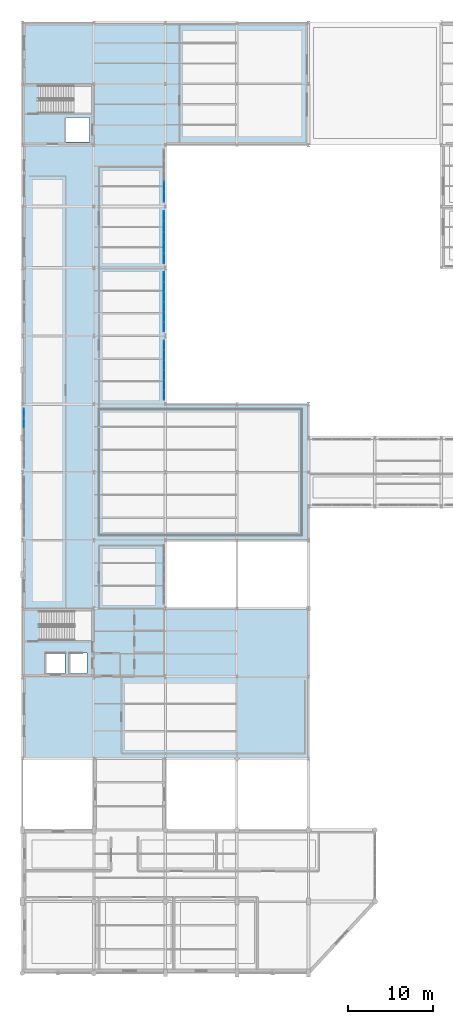
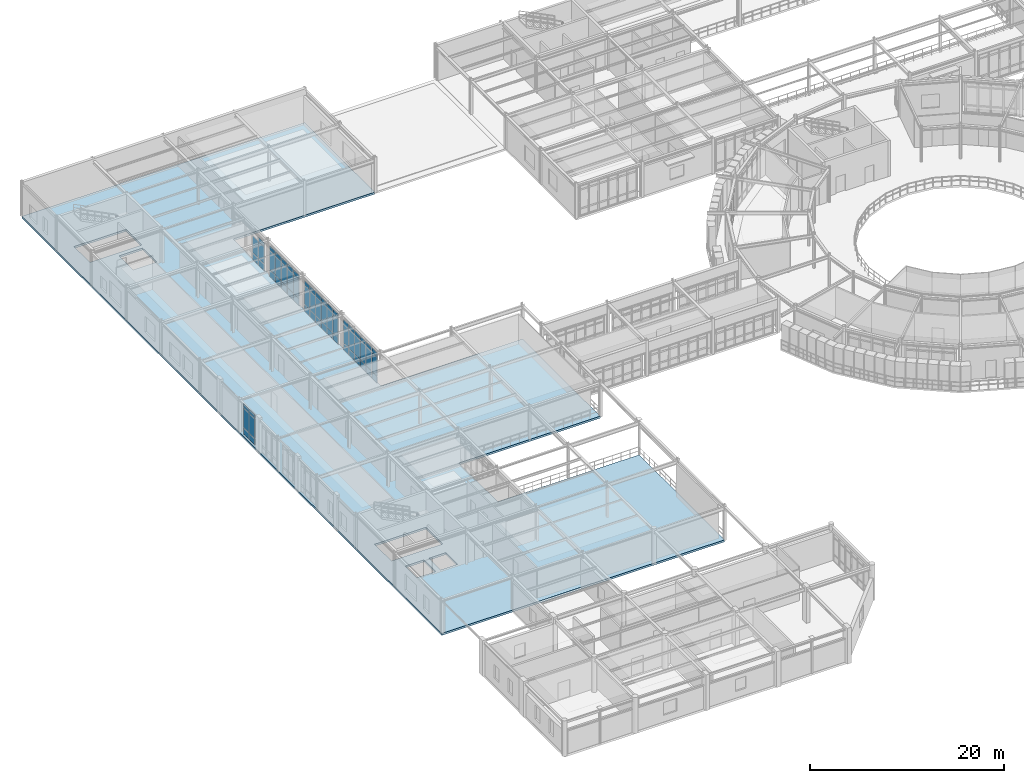
# One storey, part 72 of 106: 62 plates, 1 slab, 5 elements without a shape of their own.
"""IFC4 building model written with IfcOpenShell, lengths in metres."""

from ifc_helpers import new_model, si_unit, derived_unit, direction, frame, origin, origin_2d, place, context, subcontext, project, spatial, polyline, rectangle, outline, extrude, material, layer, layer_set, type_object, element, aggregate, save


model = new_model("IFC4")

# Units and contexts
model_context = context("Model", 3, precision=1e-05, world=origin(), true_north=direction((0.0, 1.0)))
body_context = subcontext(model_context, "Body", "Model", "MODEL_VIEW")
ifc_project = project(units=[si_unit("LENGTHUNIT", "METRE"), si_unit("AREAUNIT", "SQUARE_METRE"), si_unit("VOLUMEUNIT", "CUBIC_METRE"), si_unit("PLANEANGLEUNIT", "RADIAN"), si_unit("MASSUNIT", "GRAM", prefix="KILO"), derived_unit("THERMALTRANSMITTANCEUNIT", [(si_unit("POWERUNIT", "WATT"), 1), (si_unit("AREAUNIT", "SQUARE_METRE"), -1), (si_unit("THERMODYNAMICTEMPERATUREUNIT", "KELVIN"), -1)])], contexts=[model_context])

# Site, building, storey
site_placement = place(None, origin())
site = spatial("IfcSite", under=ifc_project, at=site_placement, CompositionType="ELEMENT")
building_placement = place(site_placement, origin())
building = spatial("IfcBuilding", under=site, at=building_placement, Name="Yasenodar Specialist Clinic", CompositionType="ELEMENT")
storey_placement = place(building_placement, frame((0.0, 0.0, 4.5)))
storey = spatial("IfcBuildingStorey", under=building, at=storey_placement, Name="L01", CompositionType="ELEMENT", Elevation=4.5)

# Curtain wall, plates
ifc_material_1 = material(Name="Bronze Anodized Aluminium and Triple Low-E Glass", Category="aluminium")
ifc_layer_1 = layer(ifc_material_1, 0.22705078125)
ifc_layer_set_1 = layer_set([ifc_layer_1], Name="Bronze Anodized Aluminium and Triple Low-E Glass")
curtain_wall_type_1 = type_object("IfcCurtainWallType", Name="CW-SYS-06", PredefinedType="USERDEFINED", material=ifc_layer_set_1)
curtain_wall_1_placement = place(storey_placement, origin())
curtain_wall_1 = element("IfcCurtainWall", 1, at=curtain_wall_1_placement, inside=storey, type_object=curtain_wall_type_1, Name="L01 Unitised Curtain Wall 120", ObjectType="UNITISED CURTAIN WALL", PredefinedType="USERDEFINED")
ifc_material_2 = material(Name="Triple Low-E Argon Glazing", Category="glass")
ifc_layer_2 = layer(ifc_material_2, 0.028076171875)
ifc_layer_set_2 = layer_set([ifc_layer_2], Name="Triple Low-E Argon Glazing")
plate_type_1 = type_object("IfcPlateType", Name="CW-PAN-1", PredefinedType="CURTAIN_PANEL", material=ifc_layer_set_2)
plate_1_placement = place(storey_placement, frame((0.179931640625, 64.56005859375, 0.074951171875), z_axis=(0.0, 0.0, 1.0), x_axis=(0.0, 1.0, 0.0)))
plate_1 = element("IfcPlate", 2, at=plate_1_placement, type_object=plate_type_1, Name="CW-06 panel 5.1", PredefinedType="CURTAIN_PANEL", context=body_context, shape_type="SweptSolid", body=[
    extrude(rectangle(XDim=1.098388671875, YDim=0.028076171875, at=origin_2d()), origin(), (0.0, 0.0, 1.0), 0.78759765625),
])
plate_2_placement = place(storey_placement, frame((0.179931640625, 64.56005859375, 0.9375), z_axis=(0.0, 0.0, 1.0), x_axis=(0.0, 1.0, 0.0)))
plate_2 = element("IfcPlate", 3, at=plate_2_placement, type_object=plate_type_1, Name="CW-06 panel 5.2", PredefinedType="CURTAIN_PANEL", context=body_context, shape_type="SweptSolid", body=[
    extrude(rectangle(XDim=1.098388671875, YDim=0.028076171875, at=origin_2d()), origin(), (0.0, 0.0, 1.0), 2.423095703125),
])
plate_3_placement = place(storey_placement, frame((0.179931640625, 64.56005859375, 3.435546875), z_axis=(0.0, 0.0, 1.0), x_axis=(0.0, 1.0, 0.0)))
plate_3 = element("IfcPlate", 4, at=plate_3_placement, type_object=plate_type_1, Name="CW-06 panel 5.3", PredefinedType="CURTAIN_PANEL", context=body_context, shape_type="SweptSolid", body=[
    extrude(rectangle(XDim=1.098388671875, YDim=0.028076171875, at=origin_2d()), origin(), (0.0, 0.0, 1.0), 0.487548828125),
])
plate_4_placement = place(storey_placement, frame((0.179931640625, 65.714599609375, 0.074951171875), z_axis=(0.0, 0.0, 1.0), x_axis=(0.0, 1.0, 0.0)))
plate_4 = element("IfcPlate", 5, at=plate_4_placement, type_object=plate_type_1, Name="CW-06 panel 6.1", PredefinedType="CURTAIN_PANEL", context=body_context, shape_type="SweptSolid", body=[
    extrude(rectangle(XDim=1.060791015625, YDim=0.028076171875, at=origin_2d()), origin(), (0.0, 0.0, 1.0), 0.78759765625),
])
plate_5_placement = place(storey_placement, frame((0.179931640625, 65.714599609375, 0.9375), z_axis=(0.0, 0.0, 1.0), x_axis=(0.0, 1.0, 0.0)))
plate_5 = element("IfcPlate", 6, at=plate_5_placement, type_object=plate_type_1, Name="CW-06 panel 6.2", PredefinedType="CURTAIN_PANEL", context=body_context, shape_type="SweptSolid", body=[
    extrude(rectangle(XDim=1.060791015625, YDim=0.028076171875, at=origin_2d()), origin(), (0.0, 0.0, 1.0), 2.423095703125),
])
plate_6_placement = place(storey_placement, frame((0.179931640625, 65.714599609375, 3.435546875), z_axis=(0.0, 0.0, 1.0), x_axis=(0.0, 1.0, 0.0)))
plate_6 = element("IfcPlate", 7, at=plate_6_placement, type_object=plate_type_1, Name="CW-06 panel 6.3", PredefinedType="CURTAIN_PANEL", context=body_context, shape_type="SweptSolid", body=[
    extrude(rectangle(XDim=1.060791015625, YDim=0.028076171875, at=origin_2d()), origin(), (0.0, 0.0, 1.0), 0.487548828125),
])
aggregate(curtain_wall_1, [plate_1, plate_2, plate_3, plate_4, plate_5, plate_6])

ifc_layer_3 = layer(ifc_material_1, 0.202880859375)
ifc_layer_set_3 = layer_set([ifc_layer_3], Name="Bronze Anodized Aluminium and Triple Low-E Glass")
curtain_wall_type_2 = type_object("IfcCurtainWallType", Name="CW-SYS-04", PredefinedType="USERDEFINED", material=ifc_layer_set_3)
curtain_wall_2_placement = place(storey_placement, origin())
curtain_wall_2 = element("IfcCurtainWall", 8, at=curtain_wall_2_placement, inside=storey, type_object=curtain_wall_type_2, Name="L01 Unitised Curtain Wall 124", ObjectType="UNITISED CURTAIN WALL", PredefinedType="USERDEFINED")
plate_7_placement = place(storey_placement, frame((16.64990234375, 73.71826171875, 0.06005859375), z_axis=(0.0, 0.0, 1.0), x_axis=(0.0, -1.0, 0.0)))
plate_7 = element("IfcPlate", 9, at=plate_7_placement, type_object=plate_type_1, Name="CW-04 panel 1.1", PredefinedType="CURTAIN_PANEL", context=body_context, shape_type="SweptSolid", body=[
    extrude(rectangle(XDim=1.083251953125, YDim=0.028076171875, at=origin_2d()), origin(), (0.0, 0.0, 1.0), 0.81005859375),
])
plate_8_placement = place(storey_placement, frame((16.64990234375, 73.71826171875, 0.93017578125), z_axis=(0.0, 0.0, 1.0), x_axis=(0.0, -1.0, 0.0)))
plate_8 = element("IfcPlate", 10, at=plate_8_placement, type_object=plate_type_1, Name="CW-04 panel 1.2", PredefinedType="CURTAIN_PANEL", context=body_context, shape_type="SweptSolid", body=[
    extrude(rectangle(XDim=1.083251953125, YDim=0.028076171875, at=origin_2d()), origin(), (0.0, 0.0, 1.0), 2.367919921875),
])
plate_9_placement = place(storey_placement, frame((16.64990234375, 73.71826171875, 3.35791015625), z_axis=(0.0, 0.0, 1.0), x_axis=(0.0, -1.0, 0.0)))
plate_9 = element("IfcPlate", 11, at=plate_9_placement, type_object=plate_type_1, Name="CW-04 panel 1.3", PredefinedType="CURTAIN_PANEL", context=body_context, shape_type="SweptSolid", body=[
    extrude(rectangle(XDim=1.083251953125, YDim=0.028076171875, at=origin_2d()), origin(), (0.0, 0.0, 1.0), 0.510009765625),
])
plate_10_placement = place(storey_placement, frame((16.64990234375, 72.56005859375, 0.06005859375), z_axis=(0.0, 0.0, 1.0), x_axis=(0.0, -1.0, 0.0)))
plate_10 = element("IfcPlate", 12, at=plate_10_placement, type_object=plate_type_1, Name="CW-04 panel 2.1", PredefinedType="CURTAIN_PANEL", context=body_context, shape_type="SweptSolid", body=[
    extrude(rectangle(XDim=1.11328125, YDim=0.028076171875, at=origin_2d()), origin(), (0.0, 0.0, 1.0), 0.81005859375),
])
plate_11_placement = place(storey_placement, frame((16.64990234375, 72.56005859375, 0.93017578125), z_axis=(0.0, 0.0, 1.0), x_axis=(0.0, -1.0, 0.0)))
plate_11 = element("IfcPlate", 13, at=plate_11_placement, type_object=plate_type_1, Name="CW-04 panel 2.2", PredefinedType="CURTAIN_PANEL", context=body_context, shape_type="SweptSolid", body=[
    extrude(rectangle(XDim=1.11328125, YDim=0.028076171875, at=origin_2d()), origin(), (0.0, 0.0, 1.0), 2.367919921875),
])
plate_12_placement = place(storey_placement, frame((16.64990234375, 72.56005859375, 3.35791015625), z_axis=(0.0, 0.0, 1.0), x_axis=(0.0, -1.0, 0.0)))
plate_12 = element("IfcPlate", 14, at=plate_12_placement, type_object=plate_type_1, Name="CW-04 panel 2.3", PredefinedType="CURTAIN_PANEL", context=body_context, shape_type="SweptSolid", body=[
    extrude(rectangle(XDim=1.11328125, YDim=0.028076171875, at=origin_2d()), origin(), (0.0, 0.0, 1.0), 0.510009765625),
])
plate_13_placement = place(storey_placement, frame((16.64990234375, 71.38671875, 0.06005859375), z_axis=(0.0, 0.0, 1.0), x_axis=(0.0, -1.0, 0.0)))
plate_13 = element("IfcPlate", 15, at=plate_13_placement, type_object=plate_type_1, Name="CW-04 panel 3.1", PredefinedType="CURTAIN_PANEL", context=body_context, shape_type="SweptSolid", body=[
    extrude(rectangle(XDim=1.11328125, YDim=0.028076171875, at=origin_2d()), origin(), (0.0, 0.0, 1.0), 0.81005859375),
])
plate_14_placement = place(storey_placement, frame((16.64990234375, 71.38671875, 0.93017578125), z_axis=(0.0, 0.0, 1.0), x_axis=(0.0, -1.0, 0.0)))
plate_14 = element("IfcPlate", 16, at=plate_14_placement, type_object=plate_type_1, Name="CW-04 panel 3.2", PredefinedType="CURTAIN_PANEL", context=body_context, shape_type="SweptSolid", body=[
    extrude(rectangle(XDim=1.11328125, YDim=0.028076171875, at=origin_2d()), origin(), (0.0, 0.0, 1.0), 2.367919921875),
])
plate_15_placement = place(storey_placement, frame((16.64990234375, 71.38671875, 3.35791015625), z_axis=(0.0, 0.0, 1.0), x_axis=(0.0, -1.0, 0.0)))
plate_15 = element("IfcPlate", 17, at=plate_15_placement, type_object=plate_type_1, Name="CW-04 panel 3.3", PredefinedType="CURTAIN_PANEL", context=body_context, shape_type="SweptSolid", body=[
    extrude(rectangle(XDim=1.11328125, YDim=0.028076171875, at=origin_2d()), origin(), (0.0, 0.0, 1.0), 0.510009765625),
])
plate_16_placement = place(storey_placement, frame((16.64990234375, 70.21337890625, 0.06005859375), z_axis=(0.0, 0.0, 1.0), x_axis=(0.0, -1.0, 0.0)))
plate_16 = element("IfcPlate", 18, at=plate_16_placement, type_object=plate_type_1, Name="CW-04 panel 4.1", PredefinedType="CURTAIN_PANEL", context=body_context, shape_type="SweptSolid", body=[
    extrude(rectangle(XDim=1.11328125, YDim=0.028076171875, at=origin_2d()), origin(), (0.0, 0.0, 1.0), 0.81005859375),
])
plate_17_placement = place(storey_placement, frame((16.64990234375, 70.21337890625, 0.93017578125), z_axis=(0.0, 0.0, 1.0), x_axis=(0.0, -1.0, 0.0)))
plate_17 = element("IfcPlate", 19, at=plate_17_placement, type_object=plate_type_1, Name="CW-04 panel 4.2", PredefinedType="CURTAIN_PANEL", context=body_context, shape_type="SweptSolid", body=[
    extrude(rectangle(XDim=1.11328125, YDim=0.028076171875, at=origin_2d()), origin(), (0.0, 0.0, 1.0), 2.367919921875),
])
plate_18_placement = place(storey_placement, frame((16.64990234375, 70.21337890625, 3.35791015625), z_axis=(0.0, 0.0, 1.0), x_axis=(0.0, -1.0, 0.0)))
plate_18 = element("IfcPlate", 20, at=plate_18_placement, type_object=plate_type_1, Name="CW-04 panel 4.3", PredefinedType="CURTAIN_PANEL", context=body_context, shape_type="SweptSolid", body=[
    extrude(rectangle(XDim=1.11328125, YDim=0.028076171875, at=origin_2d()), origin(), (0.0, 0.0, 1.0), 0.510009765625),
])
plate_19_placement = place(storey_placement, frame((16.64990234375, 69.0400390625, 0.06005859375), z_axis=(0.0, 0.0, 1.0), x_axis=(0.0, -1.0, 0.0)))
plate_19 = element("IfcPlate", 21, at=plate_19_placement, type_object=plate_type_1, Name="CW-04 panel 5.1", PredefinedType="CURTAIN_PANEL", context=body_context, shape_type="SweptSolid", body=[
    extrude(rectangle(XDim=1.11328125, YDim=0.028076171875, at=origin_2d()), origin(), (0.0, 0.0, 1.0), 0.81005859375),
])
plate_20_placement = place(storey_placement, frame((16.64990234375, 69.0400390625, 0.93017578125), z_axis=(0.0, 0.0, 1.0), x_axis=(0.0, -1.0, 0.0)))
plate_20 = element("IfcPlate", 22, at=plate_20_placement, type_object=plate_type_1, Name="CW-04 panel 5.2", PredefinedType="CURTAIN_PANEL", context=body_context, shape_type="SweptSolid", body=[
    extrude(rectangle(XDim=1.11328125, YDim=0.028076171875, at=origin_2d()), origin(), (0.0, 0.0, 1.0), 2.367919921875),
])
plate_21_placement = place(storey_placement, frame((16.64990234375, 69.0400390625, 3.35791015625), z_axis=(0.0, 0.0, 1.0), x_axis=(0.0, -1.0, 0.0)))
plate_21 = element("IfcPlate", 23, at=plate_21_placement, type_object=plate_type_1, Name="CW-04 panel 5.3", PredefinedType="CURTAIN_PANEL", context=body_context, shape_type="SweptSolid", body=[
    extrude(rectangle(XDim=1.11328125, YDim=0.028076171875, at=origin_2d()), origin(), (0.0, 0.0, 1.0), 0.510009765625),
])
plate_22_placement = place(storey_placement, frame((16.64990234375, 67.881591796875, 0.06005859375), z_axis=(0.0, 0.0, 1.0), x_axis=(0.0, -1.0, 0.0)))
plate_22 = element("IfcPlate", 24, at=plate_22_placement, type_object=plate_type_1, Name="CW-04 panel 6.1", PredefinedType="CURTAIN_PANEL", context=body_context, shape_type="SweptSolid", body=[
    extrude(rectangle(XDim=1.083251953125, YDim=0.028076171875, at=origin_2d()), origin(), (0.0, 0.0, 1.0), 0.81005859375),
])
plate_23_placement = place(storey_placement, frame((16.64990234375, 67.881591796875, 0.93017578125), z_axis=(0.0, 0.0, 1.0), x_axis=(0.0, -1.0, 0.0)))
plate_23 = element("IfcPlate", 25, at=plate_23_placement, type_object=plate_type_1, Name="CW-04 panel 6.2", PredefinedType="CURTAIN_PANEL", context=body_context, shape_type="SweptSolid", body=[
    extrude(rectangle(XDim=1.083251953125, YDim=0.028076171875, at=origin_2d()), origin(), (0.0, 0.0, 1.0), 2.367919921875),
])
plate_24_placement = place(storey_placement, frame((16.64990234375, 67.881591796875, 3.35791015625), z_axis=(0.0, 0.0, 1.0), x_axis=(0.0, -1.0, 0.0)))
plate_24 = element("IfcPlate", 26, at=plate_24_placement, type_object=plate_type_1, Name="CW-04 panel 6.3", PredefinedType="CURTAIN_PANEL", context=body_context, shape_type="SweptSolid", body=[
    extrude(rectangle(XDim=1.083251953125, YDim=0.028076171875, at=origin_2d()), origin(), (0.0, 0.0, 1.0), 0.510009765625),
])
aggregate(curtain_wall_2, [plate_7, plate_8, plate_9, plate_10, plate_11, plate_12, plate_13, plate_14, plate_15, plate_16, plate_17, plate_18, plate_19, plate_20, plate_21, plate_22, plate_23, plate_24])

curtain_wall_3_placement = place(storey_placement, origin())
curtain_wall_3 = element("IfcCurtainWall", 27, at=curtain_wall_3_placement, inside=storey, type_object=curtain_wall_type_2, Name="L01 Unitised Curtain Wall 121", ObjectType="UNITISED CURTAIN WALL", PredefinedType="USERDEFINED")
ifc_layer_4 = layer(ifc_material_2, 0.033935546875)
ifc_layer_set_4 = layer_set([ifc_layer_4], Name="Triple Low-E Argon Glazing")
plate_type_2 = type_object("IfcPlateType", Name="CW-PAN-2", PredefinedType="CURTAIN_PANEL", material=ifc_layer_set_4)
plate_25_placement = place(storey_placement, frame((16.64990234375, 92.35205078125, 0.06005859375), z_axis=(0.0, 0.0, 1.0), x_axis=(0.0, -1.0, 0.0)))
plate_25 = element("IfcPlate", 28, at=plate_25_placement, type_object=plate_type_2, Name="CW-04 panel 4.1", PredefinedType="CURTAIN_PANEL", context=body_context, shape_type="SweptSolid", body=[
    extrude(rectangle(XDim=1.18798828125, YDim=0.033935546875, at=origin_2d()), origin(), (0.0, 0.0, 1.0), 0.81005859375),
])
plate_26_placement = place(storey_placement, frame((16.64990234375, 92.35205078125, 0.93017578125), z_axis=(0.0, 0.0, 1.0), x_axis=(0.0, -1.0, 0.0)))
plate_26 = element("IfcPlate", 29, at=plate_26_placement, type_object=plate_type_2, Name="CW-04 panel 4.2", PredefinedType="CURTAIN_PANEL", context=body_context, shape_type="SweptSolid", body=[
    extrude(rectangle(XDim=1.18798828125, YDim=0.033935546875, at=origin_2d()), origin(), (0.0, 0.0, 1.0), 2.117919921875),
])
plate_27_placement = place(storey_placement, frame((16.64990234375, 91.118896484375, 0.06005859375), z_axis=(0.0, 0.0, 1.0), x_axis=(0.0, -1.0, 0.0)))
plate_27 = element("IfcPlate", 30, at=plate_27_placement, type_object=plate_type_2, Name="CW-04 panel 5.1", PredefinedType="CURTAIN_PANEL", context=body_context, shape_type="SweptSolid", body=[
    extrude(rectangle(XDim=1.157958984375, YDim=0.033935546875, at=origin_2d()), origin(), (0.0, 0.0, 1.0), 0.81005859375),
])
plate_28_placement = place(storey_placement, frame((16.64990234375, 91.118896484375, 0.93017578125), z_axis=(0.0, 0.0, 1.0), x_axis=(0.0, -1.0, 0.0)))
plate_28 = element("IfcPlate", 31, at=plate_28_placement, type_object=plate_type_2, Name="CW-04 panel 5.2", PredefinedType="CURTAIN_PANEL", context=body_context, shape_type="SweptSolid", body=[
    extrude(rectangle(XDim=1.157958984375, YDim=0.033935546875, at=origin_2d()), origin(), (0.0, 0.0, 1.0), 2.117919921875),
])
plate_29_placement = place(storey_placement, frame((16.64990234375, 91.118896484375, 3.10791015625), z_axis=(0.0, 0.0, 1.0), x_axis=(0.0, -1.0, 0.0)))
plate_29 = element("IfcPlate", 32, at=plate_29_placement, type_object=plate_type_2, Name="CW-04 panel 5.3", PredefinedType="CURTAIN_PANEL", context=body_context, shape_type="SweptSolid", body=[
    extrude(rectangle(XDim=1.157958984375, YDim=0.033935546875, at=origin_2d()), origin(), (0.0, 0.0, 1.0), 0.510009765625),
])
aggregate(curtain_wall_3, [plate_25, plate_26, plate_27, plate_28, plate_29])

curtain_wall_4_placement = place(storey_placement, origin())
curtain_wall_4 = element("IfcCurtainWall", 33, at=curtain_wall_4_placement, inside=storey, type_object=curtain_wall_type_2, Name="L01 Unitised Curtain Wall 122", ObjectType="UNITISED CURTAIN WALL", PredefinedType="USERDEFINED")
ifc_layer_5 = layer(ifc_material_2, 0.0400390625)
ifc_layer_set_5 = layer_set([ifc_layer_5], Name="Triple Low-E Argon Glazing")
plate_type_3 = type_object("IfcPlateType", Name="CW-PAN-3", PredefinedType="CURTAIN_PANEL", material=ifc_layer_set_5)
plate_30_placement = place(storey_placement, frame((16.64990234375, 88.881103515625, 0.06005859375), z_axis=(0.0, 0.0, 1.0), x_axis=(0.0, -1.0, 0.0)))
plate_30 = element("IfcPlate", 34, at=plate_30_placement, type_object=plate_type_3, Name="CW-04 panel 1.1", PredefinedType="CURTAIN_PANEL", context=body_context, shape_type="SweptSolid", body=[
    extrude(rectangle(XDim=1.157958984375, YDim=0.0400390625, at=origin_2d()), origin(), (0.0, 0.0, 1.0), 0.81005859375),
])
plate_31_placement = place(storey_placement, frame((16.64990234375, 88.881103515625, 0.929931640625), z_axis=(0.0, 0.0, 1.0), x_axis=(0.0, -1.0, 0.0)))
plate_31 = element("IfcPlate", 35, at=plate_31_placement, type_object=plate_type_3, Name="CW-04 panel 1.2", PredefinedType="CURTAIN_PANEL", context=body_context, shape_type="SweptSolid", body=[
    extrude(rectangle(XDim=1.157958984375, YDim=0.0400390625, at=origin_2d()), origin(), (0.0, 0.0, 1.0), 2.3779296875),
])
plate_32_placement = place(storey_placement, frame((16.64990234375, 88.881103515625, 3.3681640625), z_axis=(0.0, 0.0, 1.0), x_axis=(0.0, -1.0, 0.0)))
plate_32 = element("IfcPlate", 36, at=plate_32_placement, type_object=plate_type_3, Name="CW-04 panel 1.3", PredefinedType="CURTAIN_PANEL", context=body_context, shape_type="SweptSolid", body=[
    extrude(rectangle(XDim=1.157958984375, YDim=0.0400390625, at=origin_2d()), origin(), (0.0, 0.0, 1.0), 0.510009765625),
])
plate_33_placement = place(storey_placement, frame((16.64990234375, 87.64794921875, 0.06005859375), z_axis=(0.0, 0.0, 1.0), x_axis=(0.0, -1.0, 0.0)))
plate_33 = element("IfcPlate", 37, at=plate_33_placement, type_object=plate_type_3, Name="CW-04 panel 2.1", PredefinedType="CURTAIN_PANEL", context=body_context, shape_type="SweptSolid", body=[
    extrude(rectangle(XDim=1.18798828125, YDim=0.0400390625, at=origin_2d()), origin(), (0.0, 0.0, 1.0), 0.81005859375),
])
plate_34_placement = place(storey_placement, frame((16.64990234375, 87.64794921875, 0.929931640625), z_axis=(0.0, 0.0, 1.0), x_axis=(0.0, -1.0, 0.0)))
plate_34 = element("IfcPlate", 38, at=plate_34_placement, type_object=plate_type_3, Name="CW-04 panel 2.2", PredefinedType="CURTAIN_PANEL", context=body_context, shape_type="SweptSolid", body=[
    extrude(rectangle(XDim=1.18798828125, YDim=0.0400390625, at=origin_2d()), origin(), (0.0, 0.0, 1.0), 2.3779296875),
])
plate_35_placement = place(storey_placement, frame((16.64990234375, 87.64794921875, 3.3681640625), z_axis=(0.0, 0.0, 1.0), x_axis=(0.0, -1.0, 0.0)))
plate_35 = element("IfcPlate", 39, at=plate_35_placement, type_object=plate_type_3, Name="CW-04 panel 2.3", PredefinedType="CURTAIN_PANEL", context=body_context, shape_type="SweptSolid", body=[
    extrude(rectangle(XDim=1.18798828125, YDim=0.0400390625, at=origin_2d()), origin(), (0.0, 0.0, 1.0), 0.510009765625),
])
plate_36_placement = place(storey_placement, frame((16.64990234375, 86.39990234375, 0.06005859375), z_axis=(0.0, 0.0, 1.0), x_axis=(0.0, -1.0, 0.0)))
plate_36 = element("IfcPlate", 40, at=plate_36_placement, type_object=plate_type_3, Name="CW-04 panel 3.1", PredefinedType="CURTAIN_PANEL", context=body_context, shape_type="SweptSolid", body=[
    extrude(rectangle(XDim=1.18798828125, YDim=0.0400390625, at=origin_2d()), origin(), (0.0, 0.0, 1.0), 0.81005859375),
])
plate_37_placement = place(storey_placement, frame((16.64990234375, 86.39990234375, 0.929931640625), z_axis=(0.0, 0.0, 1.0), x_axis=(0.0, -1.0, 0.0)))
plate_37 = element("IfcPlate", 41, at=plate_37_placement, type_object=plate_type_3, Name="CW-04 panel 3.2", PredefinedType="CURTAIN_PANEL", context=body_context, shape_type="SweptSolid", body=[
    extrude(rectangle(XDim=1.18798828125, YDim=0.0400390625, at=origin_2d()), origin(), (0.0, 0.0, 1.0), 2.3779296875),
])
plate_38_placement = place(storey_placement, frame((16.64990234375, 86.39990234375, 3.3681640625), z_axis=(0.0, 0.0, 1.0), x_axis=(0.0, -1.0, 0.0)))
plate_38 = element("IfcPlate", 42, at=plate_38_placement, type_object=plate_type_3, Name="CW-04 panel 3.3", PredefinedType="CURTAIN_PANEL", context=body_context, shape_type="SweptSolid", body=[
    extrude(rectangle(XDim=1.18798828125, YDim=0.0400390625, at=origin_2d()), origin(), (0.0, 0.0, 1.0), 0.510009765625),
])
plate_39_placement = place(storey_placement, frame((16.64990234375, 85.152099609375, 0.06005859375), z_axis=(0.0, 0.0, 1.0), x_axis=(0.0, -1.0, 0.0)))
plate_39 = element("IfcPlate", 43, at=plate_39_placement, type_object=plate_type_3, Name="CW-04 panel 4.1", PredefinedType="CURTAIN_PANEL", context=body_context, shape_type="SweptSolid", body=[
    extrude(rectangle(XDim=1.18798828125, YDim=0.0400390625, at=origin_2d()), origin(), (0.0, 0.0, 1.0), 0.81005859375),
])
plate_40_placement = place(storey_placement, frame((16.64990234375, 85.152099609375, 0.929931640625), z_axis=(0.0, 0.0, 1.0), x_axis=(0.0, -1.0, 0.0)))
plate_40 = element("IfcPlate", 44, at=plate_40_placement, type_object=plate_type_3, Name="CW-04 panel 4.2", PredefinedType="CURTAIN_PANEL", context=body_context, shape_type="SweptSolid", body=[
    extrude(rectangle(XDim=1.18798828125, YDim=0.0400390625, at=origin_2d()), origin(), (0.0, 0.0, 1.0), 2.3779296875),
])
plate_41_placement = place(storey_placement, frame((16.64990234375, 85.152099609375, 3.3681640625), z_axis=(0.0, 0.0, 1.0), x_axis=(0.0, -1.0, 0.0)))
plate_41 = element("IfcPlate", 45, at=plate_41_placement, type_object=plate_type_3, Name="CW-04 panel 4.3", PredefinedType="CURTAIN_PANEL", context=body_context, shape_type="SweptSolid", body=[
    extrude(rectangle(XDim=1.18798828125, YDim=0.0400390625, at=origin_2d()), origin(), (0.0, 0.0, 1.0), 0.510009765625),
])
plate_42_placement = place(storey_placement, frame((16.64990234375, 83.9189453125, 0.06005859375), z_axis=(0.0, 0.0, 1.0), x_axis=(0.0, -1.0, 0.0)))
plate_42 = element("IfcPlate", 46, at=plate_42_placement, type_object=plate_type_3, Name="CW-04 panel 5.1", PredefinedType="CURTAIN_PANEL", context=body_context, shape_type="SweptSolid", body=[
    extrude(rectangle(XDim=1.157958984375, YDim=0.0400390625, at=origin_2d()), origin(), (0.0, 0.0, 1.0), 0.81005859375),
])
plate_43_placement = place(storey_placement, frame((16.64990234375, 83.9189453125, 0.929931640625), z_axis=(0.0, 0.0, 1.0), x_axis=(0.0, -1.0, 0.0)))
plate_43 = element("IfcPlate", 47, at=plate_43_placement, type_object=plate_type_3, Name="CW-04 panel 5.2", PredefinedType="CURTAIN_PANEL", context=body_context, shape_type="SweptSolid", body=[
    extrude(rectangle(XDim=1.157958984375, YDim=0.0400390625, at=origin_2d()), origin(), (0.0, 0.0, 1.0), 2.3779296875),
])
plate_44_placement = place(storey_placement, frame((16.64990234375, 83.9189453125, 3.3681640625), z_axis=(0.0, 0.0, 1.0), x_axis=(0.0, -1.0, 0.0)))
plate_44 = element("IfcPlate", 48, at=plate_44_placement, type_object=plate_type_3, Name="CW-04 panel 5.3", PredefinedType="CURTAIN_PANEL", context=body_context, shape_type="SweptSolid", body=[
    extrude(rectangle(XDim=1.157958984375, YDim=0.0400390625, at=origin_2d()), origin(), (0.0, 0.0, 1.0), 0.510009765625),
])
aggregate(curtain_wall_4, [plate_30, plate_31, plate_32, plate_33, plate_34, plate_35, plate_36, plate_37, plate_38, plate_39, plate_40, plate_41, plate_42, plate_43, plate_44])

curtain_wall_5_placement = place(storey_placement, origin())
curtain_wall_5 = element("IfcCurtainWall", 49, at=curtain_wall_5_placement, inside=storey, type_object=curtain_wall_type_2, Name="L01 Unitised Curtain Wall 123", ObjectType="UNITISED CURTAIN WALL", PredefinedType="USERDEFINED")
ifc_layer_6 = layer(ifc_material_2, 0.0458984375)
ifc_layer_set_6 = layer_set([ifc_layer_6], Name="Triple Low-E Argon Glazing")
plate_type_4 = type_object("IfcPlateType", Name="CW-PAN-4", PredefinedType="CURTAIN_PANEL", material=ifc_layer_set_6)
plate_45_placement = place(storey_placement, frame((16.64990234375, 81.71826171875, 0.06005859375), z_axis=(0.0, 0.0, 1.0), x_axis=(0.0, -1.0, 0.0)))
plate_45 = element("IfcPlate", 50, at=plate_45_placement, type_object=plate_type_4, Name="CW-04 panel 1.1", PredefinedType="CURTAIN_PANEL", context=body_context, shape_type="SweptSolid", body=[
    extrude(rectangle(XDim=1.083251953125, YDim=0.0458984375, at=origin_2d()), origin(), (0.0, 0.0, 1.0), 0.81005859375),
])
plate_46_placement = place(storey_placement, frame((16.64990234375, 81.71826171875, 0.93017578125), z_axis=(0.0, 0.0, 1.0), x_axis=(0.0, -1.0, 0.0)))
plate_46 = element("IfcPlate", 51, at=plate_46_placement, type_object=plate_type_4, Name="CW-04 panel 1.2", PredefinedType="CURTAIN_PANEL", context=body_context, shape_type="SweptSolid", body=[
    extrude(rectangle(XDim=1.083251953125, YDim=0.0458984375, at=origin_2d()), origin(), (0.0, 0.0, 1.0), 2.367919921875),
])
plate_47_placement = place(storey_placement, frame((16.64990234375, 81.71826171875, 3.35791015625), z_axis=(0.0, 0.0, 1.0), x_axis=(0.0, -1.0, 0.0)))
plate_47 = element("IfcPlate", 52, at=plate_47_placement, type_object=plate_type_4, Name="CW-04 panel 1.3", PredefinedType="CURTAIN_PANEL", context=body_context, shape_type="SweptSolid", body=[
    extrude(rectangle(XDim=1.083251953125, YDim=0.0458984375, at=origin_2d()), origin(), (0.0, 0.0, 1.0), 0.510009765625),
])
plate_48_placement = place(storey_placement, frame((16.64990234375, 80.56005859375, 0.06005859375), z_axis=(0.0, 0.0, 1.0), x_axis=(0.0, -1.0, 0.0)))
plate_48 = element("IfcPlate", 53, at=plate_48_placement, type_object=plate_type_4, Name="CW-04 panel 2.1", PredefinedType="CURTAIN_PANEL", context=body_context, shape_type="SweptSolid", body=[
    extrude(rectangle(XDim=1.11328125, YDim=0.0458984375, at=origin_2d()), origin(), (0.0, 0.0, 1.0), 0.81005859375),
])
plate_49_placement = place(storey_placement, frame((16.64990234375, 80.56005859375, 0.93017578125), z_axis=(0.0, 0.0, 1.0), x_axis=(0.0, -1.0, 0.0)))
plate_49 = element("IfcPlate", 54, at=plate_49_placement, type_object=plate_type_4, Name="CW-04 panel 2.2", PredefinedType="CURTAIN_PANEL", context=body_context, shape_type="SweptSolid", body=[
    extrude(rectangle(XDim=1.11328125, YDim=0.0458984375, at=origin_2d()), origin(), (0.0, 0.0, 1.0), 2.367919921875),
])
plate_50_placement = place(storey_placement, frame((16.64990234375, 80.56005859375, 3.35791015625), z_axis=(0.0, 0.0, 1.0), x_axis=(0.0, -1.0, 0.0)))
plate_50 = element("IfcPlate", 55, at=plate_50_placement, type_object=plate_type_4, Name="CW-04 panel 2.3", PredefinedType="CURTAIN_PANEL", context=body_context, shape_type="SweptSolid", body=[
    extrude(rectangle(XDim=1.11328125, YDim=0.0458984375, at=origin_2d()), origin(), (0.0, 0.0, 1.0), 0.510009765625),
])
plate_51_placement = place(storey_placement, frame((16.64990234375, 79.38671875, 0.06005859375), z_axis=(0.0, 0.0, 1.0), x_axis=(0.0, -1.0, 0.0)))
plate_51 = element("IfcPlate", 56, at=plate_51_placement, type_object=plate_type_4, Name="CW-04 panel 3.1", PredefinedType="CURTAIN_PANEL", context=body_context, shape_type="SweptSolid", body=[
    extrude(rectangle(XDim=1.11328125, YDim=0.0458984375, at=origin_2d()), origin(), (0.0, 0.0, 1.0), 0.81005859375),
])
plate_52_placement = place(storey_placement, frame((16.64990234375, 79.38671875, 0.93017578125), z_axis=(0.0, 0.0, 1.0), x_axis=(0.0, -1.0, 0.0)))
plate_52 = element("IfcPlate", 57, at=plate_52_placement, type_object=plate_type_4, Name="CW-04 panel 3.2", PredefinedType="CURTAIN_PANEL", context=body_context, shape_type="SweptSolid", body=[
    extrude(rectangle(XDim=1.11328125, YDim=0.0458984375, at=origin_2d()), origin(), (0.0, 0.0, 1.0), 2.367919921875),
])
plate_53_placement = place(storey_placement, frame((16.64990234375, 79.38671875, 3.35791015625), z_axis=(0.0, 0.0, 1.0), x_axis=(0.0, -1.0, 0.0)))
plate_53 = element("IfcPlate", 58, at=plate_53_placement, type_object=plate_type_4, Name="CW-04 panel 3.3", PredefinedType="CURTAIN_PANEL", context=body_context, shape_type="SweptSolid", body=[
    extrude(rectangle(XDim=1.11328125, YDim=0.0458984375, at=origin_2d()), origin(), (0.0, 0.0, 1.0), 0.510009765625),
])
plate_54_placement = place(storey_placement, frame((16.64990234375, 78.21337890625, 0.06005859375), z_axis=(0.0, 0.0, 1.0), x_axis=(0.0, -1.0, 0.0)))
plate_54 = element("IfcPlate", 59, at=plate_54_placement, type_object=plate_type_4, Name="CW-04 panel 4.1", PredefinedType="CURTAIN_PANEL", context=body_context, shape_type="SweptSolid", body=[
    extrude(rectangle(XDim=1.11328125, YDim=0.0458984375, at=origin_2d()), origin(), (0.0, 0.0, 1.0), 0.81005859375),
])
plate_55_placement = place(storey_placement, frame((16.64990234375, 78.21337890625, 0.93017578125), z_axis=(0.0, 0.0, 1.0), x_axis=(0.0, -1.0, 0.0)))
plate_55 = element("IfcPlate", 60, at=plate_55_placement, type_object=plate_type_4, Name="CW-04 panel 4.2", PredefinedType="CURTAIN_PANEL", context=body_context, shape_type="SweptSolid", body=[
    extrude(rectangle(XDim=1.11328125, YDim=0.0458984375, at=origin_2d()), origin(), (0.0, 0.0, 1.0), 2.367919921875),
])
plate_56_placement = place(storey_placement, frame((16.64990234375, 78.21337890625, 3.35791015625), z_axis=(0.0, 0.0, 1.0), x_axis=(0.0, -1.0, 0.0)))
plate_56 = element("IfcPlate", 61, at=plate_56_placement, type_object=plate_type_4, Name="CW-04 panel 4.3", PredefinedType="CURTAIN_PANEL", context=body_context, shape_type="SweptSolid", body=[
    extrude(rectangle(XDim=1.11328125, YDim=0.0458984375, at=origin_2d()), origin(), (0.0, 0.0, 1.0), 0.510009765625),
])
plate_57_placement = place(storey_placement, frame((16.64990234375, 77.0400390625, 0.06005859375), z_axis=(0.0, 0.0, 1.0), x_axis=(0.0, -1.0, 0.0)))
plate_57 = element("IfcPlate", 62, at=plate_57_placement, type_object=plate_type_4, Name="CW-04 panel 5.1", PredefinedType="CURTAIN_PANEL", context=body_context, shape_type="SweptSolid", body=[
    extrude(rectangle(XDim=1.11328125, YDim=0.0458984375, at=origin_2d()), origin(), (0.0, 0.0, 1.0), 0.81005859375),
])
plate_58_placement = place(storey_placement, frame((16.64990234375, 77.0400390625, 0.93017578125), z_axis=(0.0, 0.0, 1.0), x_axis=(0.0, -1.0, 0.0)))
plate_58 = element("IfcPlate", 63, at=plate_58_placement, type_object=plate_type_4, Name="CW-04 panel 5.2", PredefinedType="CURTAIN_PANEL", context=body_context, shape_type="SweptSolid", body=[
    extrude(rectangle(XDim=1.11328125, YDim=0.0458984375, at=origin_2d()), origin(), (0.0, 0.0, 1.0), 2.367919921875),
])
plate_59_placement = place(storey_placement, frame((16.64990234375, 77.0400390625, 3.35791015625), z_axis=(0.0, 0.0, 1.0), x_axis=(0.0, -1.0, 0.0)))
plate_59 = element("IfcPlate", 64, at=plate_59_placement, type_object=plate_type_4, Name="CW-04 panel 5.3", PredefinedType="CURTAIN_PANEL", context=body_context, shape_type="SweptSolid", body=[
    extrude(rectangle(XDim=1.11328125, YDim=0.0458984375, at=origin_2d()), origin(), (0.0, 0.0, 1.0), 0.510009765625),
])
plate_60_placement = place(storey_placement, frame((16.64990234375, 75.881591796875, 0.06005859375), z_axis=(0.0, 0.0, 1.0), x_axis=(0.0, -1.0, 0.0)))
plate_60 = element("IfcPlate", 65, at=plate_60_placement, type_object=plate_type_4, Name="CW-04 panel 6.1", PredefinedType="CURTAIN_PANEL", context=body_context, shape_type="SweptSolid", body=[
    extrude(rectangle(XDim=1.083251953125, YDim=0.0458984375, at=origin_2d()), origin(), (0.0, 0.0, 1.0), 0.81005859375),
])
plate_61_placement = place(storey_placement, frame((16.64990234375, 75.881591796875, 0.93017578125), z_axis=(0.0, 0.0, 1.0), x_axis=(0.0, -1.0, 0.0)))
plate_61 = element("IfcPlate", 66, at=plate_61_placement, type_object=plate_type_4, Name="CW-04 panel 6.2", PredefinedType="CURTAIN_PANEL", context=body_context, shape_type="SweptSolid", body=[
    extrude(rectangle(XDim=1.083251953125, YDim=0.0458984375, at=origin_2d()), origin(), (0.0, 0.0, 1.0), 2.367919921875),
])
plate_62_placement = place(storey_placement, frame((16.64990234375, 75.881591796875, 3.35791015625), z_axis=(0.0, 0.0, 1.0), x_axis=(0.0, -1.0, 0.0)))
plate_62 = element("IfcPlate", 67, at=plate_62_placement, type_object=plate_type_4, Name="CW-04 panel 6.3", PredefinedType="CURTAIN_PANEL", context=body_context, shape_type="SweptSolid", body=[
    extrude(rectangle(XDim=1.083251953125, YDim=0.0458984375, at=origin_2d()), origin(), (0.0, 0.0, 1.0), 0.510009765625),
])
aggregate(curtain_wall_5, [plate_45, plate_46, plate_47, plate_48, plate_49, plate_50, plate_51, plate_52, plate_53, plate_54, plate_55, plate_56, plate_57, plate_58, plate_59, plate_60, plate_61, plate_62])

# Slab
ifc_material_3 = material(Name="Concrete C30/37", Category="concrete")
ifc_layer_7 = layer(ifc_material_3, 0.25)
ifc_layer_set_7 = layer_set([ifc_layer_7], Name="Concrete C30/37")
slab_type = type_object("IfcSlabType", Name="SLB-FLR-250", PredefinedType="FLOOR", material=ifc_layer_set_7)
slab_placement = place(storey_placement, frame((0.0, 0.0, -0.25)))
element("IfcSlab", 68, at=slab_placement, inside=storey, type_object=slab_type, Name="L01 V4 structural slab", PredefinedType="FLOOR", context=body_context, shape_type="SweptSolid", body=[
    extrude(outline(polyline([(0.0, 25.199951171875), (0.0, 111.60009765625), (33.60009765625, 111.60009765625), (33.60009765625, 97.199951171875), (16.800048828125, 97.199951171875), (16.800048828125, 66.800048828125), (33.60009765625, 66.800048828125), (33.60009765625, 50.800048828125), (16.800048828125, 50.800048828125), (16.800048828125, 42.800048828125), (33.60009765625, 42.800048828125), (33.60009765625, 25.199951171875), (16.81494140625, 25.215087890625), (0.0, 25.199951171875)]), holes=[polyline([(8.1201171875, 39.06005859375), (8.1201171875, 42.510009765625), (2.02001953125, 42.510009765625), (2.02001953125, 39.06005859375), (8.1201171875, 39.06005859375)]), polyline([(8.1201171875, 100.9599609375), (8.1201171875, 104.199951171875), (1.929931640625, 104.199951171875), (1.929931640625, 100.9599609375), (8.1201171875, 100.9599609375)]), polyline([(7.60009765625, 35.14990234375), (7.60009765625, 37.550048828125), (5.60009765625, 37.550048828125), (5.60009765625, 35.14990234375), (7.60009765625, 35.14990234375)]), polyline([(5.0, 35.14990234375), (5.0, 37.550048828125), (2.800048828125, 37.550048828125), (2.800048828125, 35.14990234375), (5.0, 35.14990234375)]), polyline([(7.89990234375, 97.550048828125), (7.89990234375, 100.449951171875), (5.10009765625, 100.449951171875), (5.10009765625, 97.550048828125), (7.89990234375, 97.550048828125)])]), origin(), (0.0, 0.0, 1.0), 0.25),
])

save(model, "model.ifc")
